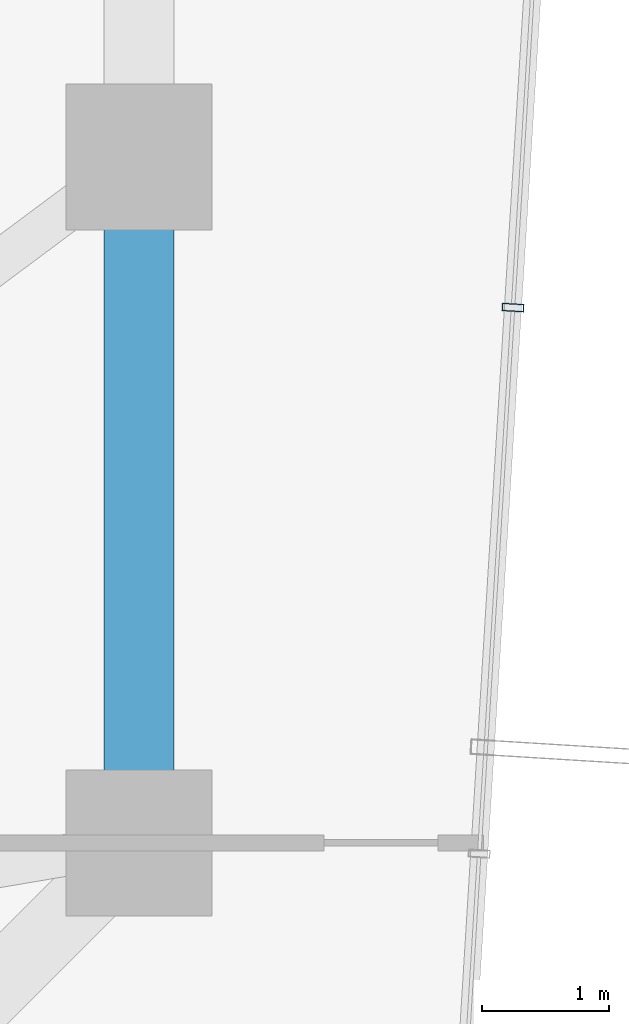
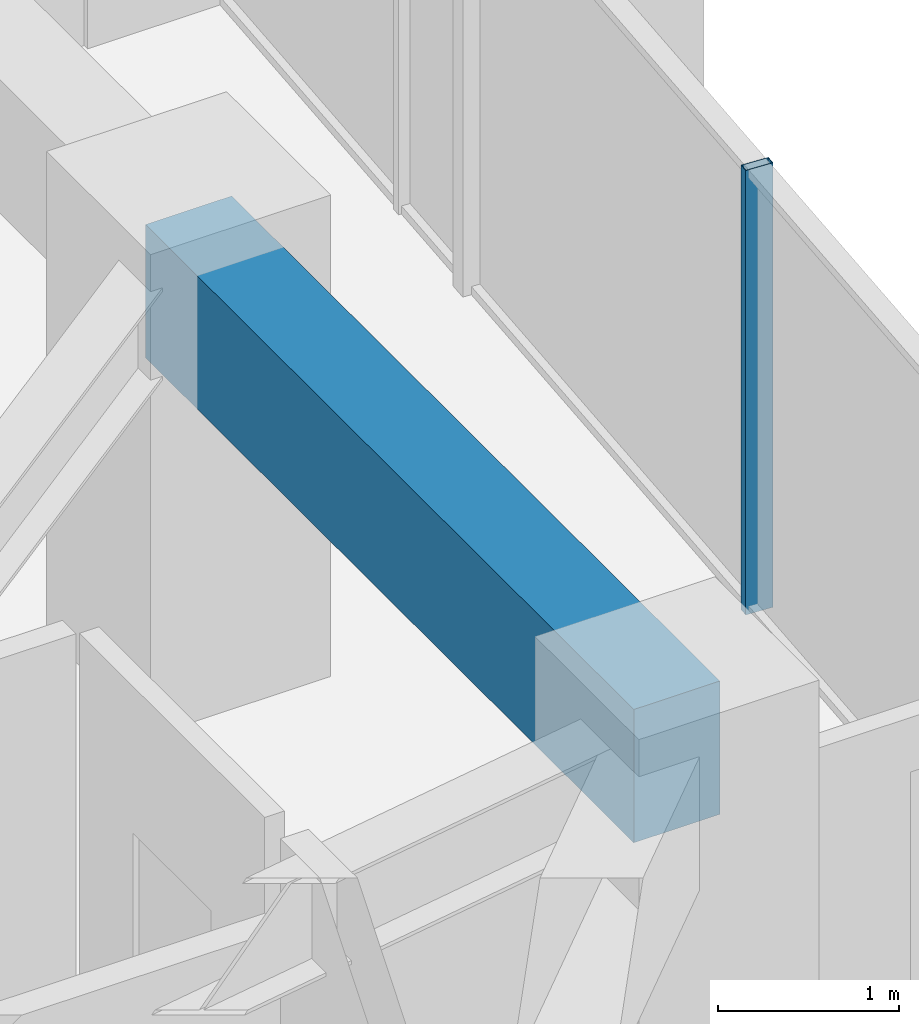
# One storey, part 13 of 30: 1 beam, 1 member, 1 element without a shape of its own.
"""IFC4 building model written with IfcOpenShell, lengths in metres."""

from ifc_helpers import new_model, si_unit, direction, frame, origin, origin_2d, place, context, subcontext, project, spatial, rectangle, hollow_rectangle, extrude, source, transform, mapped, material, layer, layer_set, material_profile, profile_set, type_object, element, aggregate, save


model = new_model("IFC4")

# Units and contexts
model_context = context("Model", 3, precision=1e-05, world=origin(), true_north=direction((0.0, 1.0)))
body_context = subcontext(model_context, "Body", "Model", "MODEL_VIEW")
ifc_project = project(units=[si_unit("LENGTHUNIT", "METRE"), si_unit("AREAUNIT", "SQUARE_METRE"), si_unit("VOLUMEUNIT", "CUBIC_METRE"), si_unit("PLANEANGLEUNIT", "RADIAN"), si_unit("MASSUNIT", "GRAM", prefix="KILO")], contexts=[model_context])

# Site, building, storey
site_placement = place(None, origin())
site = spatial("IfcSite", under=ifc_project, at=site_placement, CompositionType="ELEMENT")
building_placement = place(site_placement, origin())
building = spatial("IfcBuilding", under=site, at=building_placement, Name="Veraguas Prism Commons", CompositionType="ELEMENT")
storey_placement = place(building_placement, frame((0.0, 0.0, 116.5)))
storey = spatial("IfcBuildingStorey", under=building, at=storey_placement, Name="L32", CompositionType="ELEMENT", Elevation=116.5)

# Beam
ifc_material_1 = material(Name="Concrete C50/60", Category="concrete")
ifc_material_profile_1 = material_profile(ifc_material_1, rectangle(XDim=0.550048828125, YDim=0.89990234375, at=origin_2d()), Name="RC550X900")
ifc_profile_set_1 = profile_set([ifc_material_profile_1], Name="Concrete C50/60")
beam_type = type_object("IfcBeamType", Name="Perimeter Spandrel Lower RC 550x900", PredefinedType="SPANDREL", material=ifc_profile_set_1)
beam_placement = place(storey_placement, frame((40.199951171875, 18.60009765625, 2.550048828125), z_axis=(0.0, 1.0, 0.0), x_axis=(-1.0, 0.0, 0.0)))
element("IfcBeam", 1, at=beam_placement, inside=storey, type_object=beam_type, Name="Perimeter Spandrel Beam L32-SP01", PredefinedType="SPANDREL", context=body_context, shape_type="SweptSolid", body=[
    extrude(rectangle(XDim=0.550048828125, YDim=0.89990234375, at=origin_2d()), origin(), (0.0, 0.0, 1.0), 5.39990234375),
])

# Curtain wall, member
ifc_material_2 = material(Name="Anodised aluminium EN AW-6063 T6", Category="aluminium")
ifc_layer = layer(ifc_material_2, 0.169921875, Name="Unitised Flush Curtain Wall Zone 2", Category="aluminium")
ifc_layer_set = layer_set([ifc_layer], Name="Anodised aluminium EN AW-6063 T6")
curtain_wall_type = type_object("IfcCurtainWallType", Name="Unitised Flush Curtain Wall Zone 2", PredefinedType="NOTDEFINED", material=ifc_layer_set)
curtain_wall_placement = place(storey_placement, origin())
curtain_wall = element("IfcCurtainWall", 2, at=curtain_wall_placement, inside=storey, type_object=curtain_wall_type, Name="Tower Facade Curtain Wall L32-F6", PredefinedType="NOTDEFINED")
ifc_material_profile_2 = material_profile(ifc_material_2, hollow_rectangle(XDim=0.06005859375, YDim=0.169921875, WallThickness=0.00390625, at=origin_2d()), Name="AL60X170X4")
ifc_profile_set_2 = profile_set([ifc_material_profile_2], Name="Anodised aluminium EN AW-6063 T6")
member_type = type_object("IfcMemberType", Name="Curtain Wall Mullion Lower AL 60x170x4", PredefinedType="MULLION", material=ifc_profile_set_2)
shared_shape = source(origin(), body_context, "Body", "SweptSolid", [
    extrude(hollow_rectangle(XDim=0.06005859375, YDim=0.169921875, WallThickness=0.00390625, at=origin_2d()), origin(), (0.0, 0.0, 1.0), 3.0),
])
member_placement = place(storey_placement, frame((43.145751953125, 22.8154296875, 0.0), z_axis=(0.0, 0.0, 1.0), x_axis=(0.061743612146, 0.99809204303, 0.0)))
member = element("IfcMember", 3, at=member_placement, type_object=member_type, Name="CW-Z2 Mullion 3", PredefinedType="MULLION", context=body_context, shape_type="MappedRepresentation", body=[
    mapped(shared_shape, transform((0.0, 0.0, 0.0), scale=1.0)),
])
aggregate(curtain_wall, [member])

save(model, "model.ifc")
